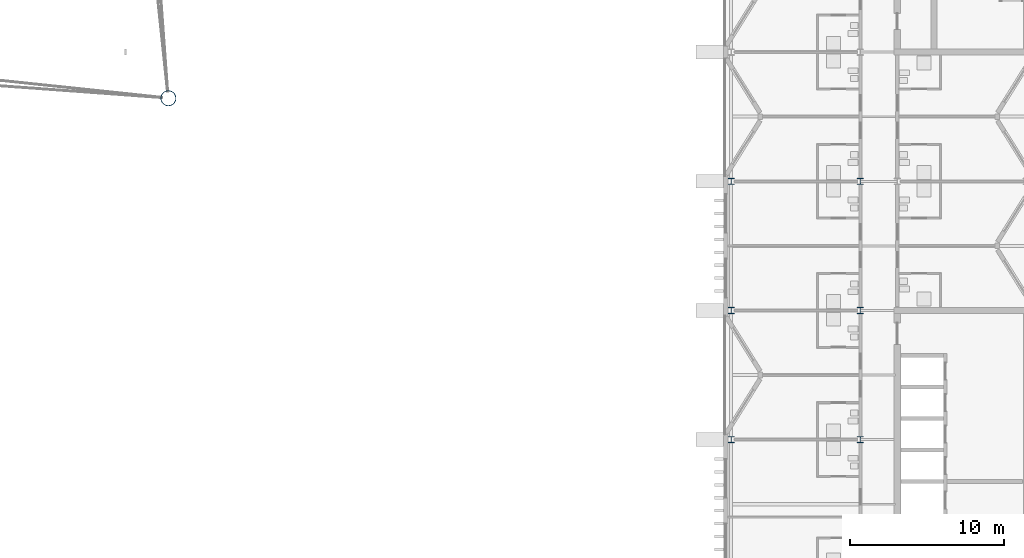
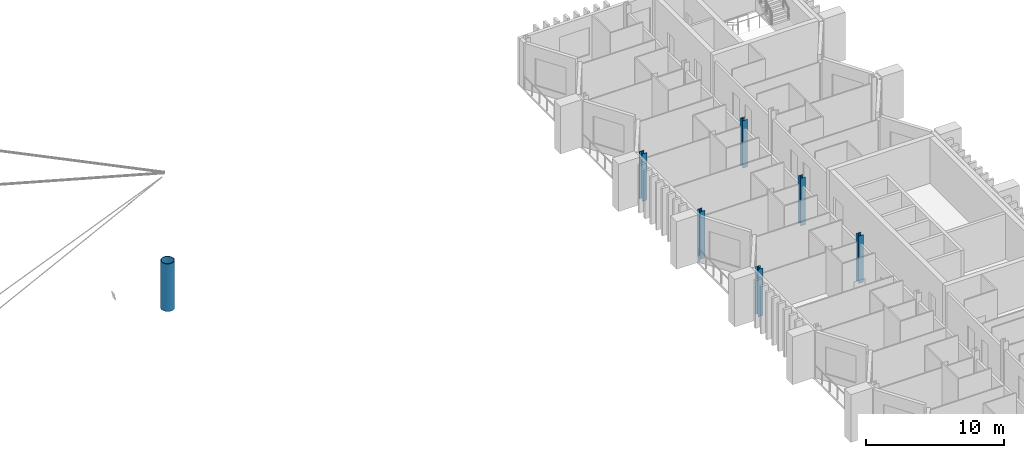
# One storey, part 3 of 18: 7 columns.
"""IFC4 building model written with IfcOpenShell, lengths in metres."""

from ifc_helpers import new_model, si_unit, direction, frame, origin, origin_2d, place, context, subcontext, project, spatial, hollow_circle, i_section, extrude, material, material_profile, profile_set, type_object, element, save


model = new_model("IFC4")

# Units and contexts
model_context = context("Model", 3, precision=1e-05, world=origin(), true_north=direction((0.0, 1.0)))
body_context = subcontext(model_context, "Body", "Model", "MODEL_VIEW")
ifc_project = project(units=[si_unit("LENGTHUNIT", "METRE"), si_unit("AREAUNIT", "SQUARE_METRE"), si_unit("VOLUMEUNIT", "CUBIC_METRE"), si_unit("PLANEANGLEUNIT", "RADIAN"), si_unit("MASSUNIT", "GRAM", prefix="KILO")], contexts=[model_context])

# Site, building, storey
site_placement = place(None, origin())
site = spatial("IfcSite", under=ifc_project, at=site_placement, CompositionType="ELEMENT")
building_placement = place(site_placement, origin())
building = spatial("IfcBuilding", under=site, at=building_placement, Name="Cresset Court Congress Hotel", CompositionType="ELEMENT")
storey_placement = place(building_placement, frame((0.0, 0.0, 35.39990234375)))
storey = spatial("IfcBuildingStorey", under=building, at=storey_placement, Name="L08", CompositionType="ELEMENT", Elevation=35.39990234375)

# Columns
ifc_material_1 = material(Name="Structural steel Q355B", Category="steel")
ifc_material_profile_1 = material_profile(ifc_material_1, hollow_circle(Radius=0.508056640625, WallThickness=0.050048828125, at=origin_2d()), Name="CHS1016x50")
ifc_profile_set_1 = profile_set([ifc_material_profile_1], Name="Structural steel Q355B")
column_type_1 = type_object("IfcColumnType", Name="Mast tube 1016x50", PredefinedType="COLUMN", material=ifc_profile_set_1)
column_placement = place(storey_placement, frame((120.60009765625, 55.800048828125, 0.0), z_axis=(0.0, 0.0, 1.0), x_axis=(1.0, 0.0, 0.0)))
element("IfcColumn", 1, at=column_placement, inside=storey, type_object=column_type_1, Name="Mast M2", PredefinedType="COLUMN", context=body_context, shape_type="SweptSolid", body=[
    extrude(hollow_circle(Radius=0.508056640625, WallThickness=0.050048828125, at=origin_2d()), origin(), (0.0, 0.0, 1.0), 4.2001953125),
])
ifc_material_2 = material(Name="Structural steel Q355B", Category="steel")
ifc_material_profile_2 = material_profile(ifc_material_2, i_section(OverallWidth=0.39990234375, OverallDepth=0.39990234375, WebThickness=0.012939453125, FlangeThickness=0.02099609375, FilletRadius=0.02197265625, at=origin_2d()), Name="HW400x400x13x21")
ifc_profile_set_2 = profile_set([ifc_material_profile_2], Name="Structural steel Q355B")
column_type_2 = type_object("IfcColumnType", Name="Steel column HW400x400x13x21", PredefinedType="COLUMN", material=ifc_profile_set_2)
for number, where, z_axis, x_axis, name in (
    (2, (157.199951171875, 33.60009765625, 0.0), (0.0, 0.0, 1.0), (1.0, 0.0, 0.0), "Column L08 5-20"),
    (3, (157.199951171875, 42.0, 0.0), (0.0, 0.0, 1.0), (1.0, 0.0, 0.0), "Column L08 6-20"),
    (4, (157.199951171875, 50.39990234375, 0.0), (0.0, 0.0, 1.0), (1.0, 0.0, 0.0), "Column L08 7-20"),
    (5, (165.60009765625, 33.60009765625, 0.0), (0.0, 0.0, 1.0), (1.0, 0.0, 0.0), "Column L08 5-21"),
    (6, (165.60009765625, 42.0, 0.0), (0.0, 0.0, 1.0), (1.0, 0.0, 0.0), "Column L08 6-21"),
    (7, (165.60009765625, 50.39990234375, 0.0), (0.0, 0.0, 1.0), (1.0, 0.0, 0.0), "Column L08 7-21"),
):
    element("IfcColumn", number, at=place(storey_placement, frame(where, z_axis=z_axis, x_axis=x_axis)), inside=storey, type_object=column_type_2, Name=name, PredefinedType="COLUMN", context=body_context, shape_type="SweptSolid", body=[
        extrude(i_section(OverallWidth=0.39990234375, OverallDepth=0.39990234375, WebThickness=0.012939453125, FlangeThickness=0.02099609375, FilletRadius=0.02197265625, at=origin_2d()), origin(), (0.0, 0.0, 1.0), 4.2001953125),
    ])

save(model, "model.ifc")
